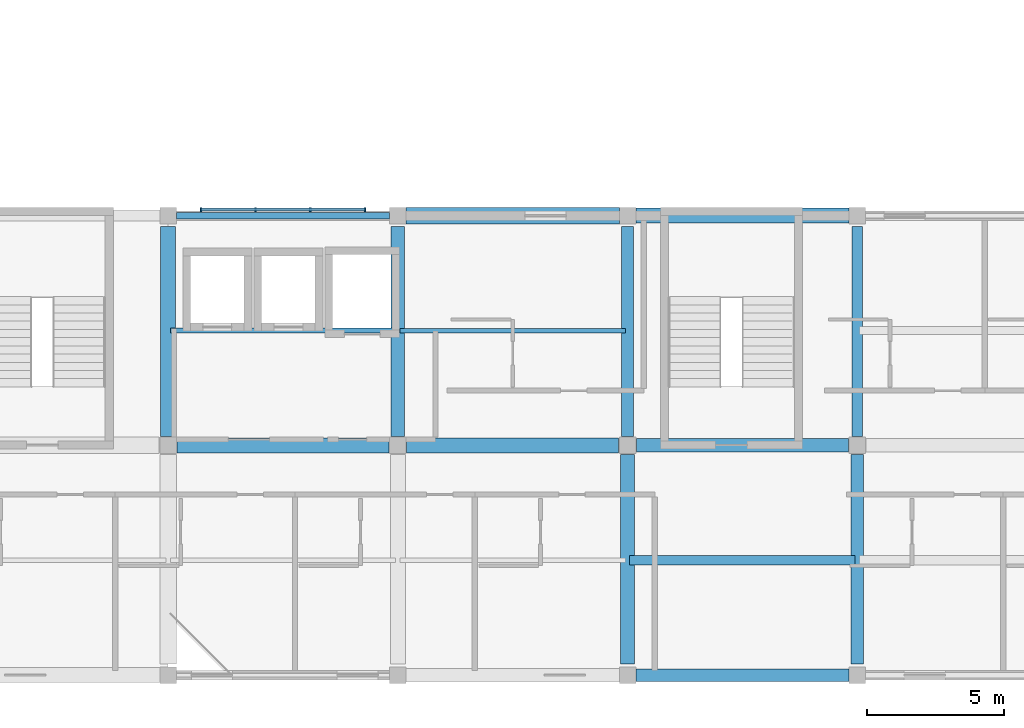
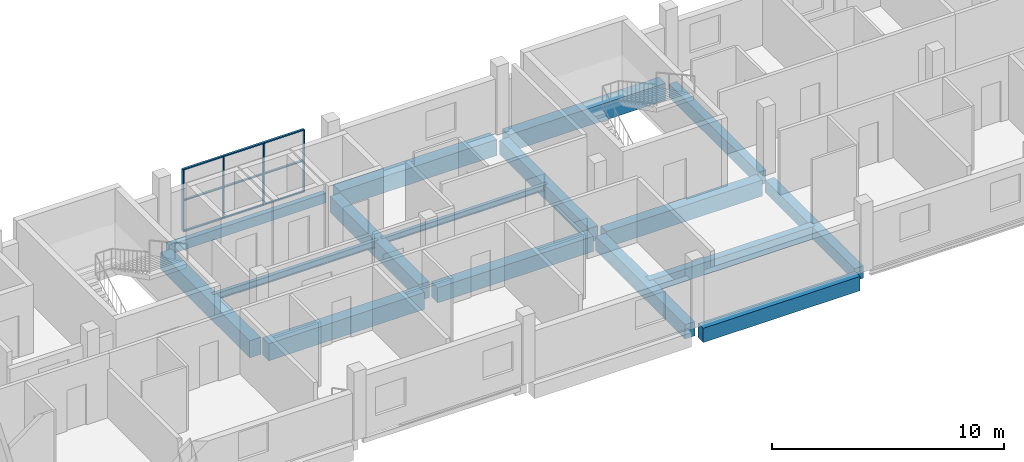
# One storey, part 4 of 25: 16 beams, 7 members, 1 element without a shape of its own.
"""IFC4 building model written with IfcOpenShell, lengths in metres."""

from ifc_helpers import new_model, si_unit, derived_unit, direction, frame, origin, origin_2d, place, context, subcontext, project, spatial, rectangle, i_section, extrude, material, material_profile, profile_set, type_object, element, aggregate, save


model = new_model("IFC4")

# Units and contexts
model_context = context("Model", 3, precision=1e-05, world=origin(), true_north=direction((0.0, 1.0)))
body_context = subcontext(model_context, "Body", "Model", "MODEL_VIEW")
ifc_project = project(units=[si_unit("LENGTHUNIT", "METRE"), si_unit("AREAUNIT", "SQUARE_METRE"), si_unit("VOLUMEUNIT", "CUBIC_METRE"), si_unit("PLANEANGLEUNIT", "RADIAN"), si_unit("MASSUNIT", "GRAM", prefix="KILO"), derived_unit("THERMALTRANSMITTANCEUNIT", [(si_unit("POWERUNIT", "WATT"), 1), (si_unit("LENGTHUNIT", "METRE"), -2), (si_unit("THERMODYNAMICTEMPERATUREUNIT", "KELVIN"), -1)])], contexts=[model_context])

# Site, building, storey
site_placement = place(None, origin())
site = spatial("IfcSite", under=ifc_project, at=site_placement, CompositionType="ELEMENT")
building_placement = place(site_placement, origin())
building = spatial("IfcBuilding", under=site, at=building_placement, Name="Barrovel Congress Hotel", CompositionType="ELEMENT")
storey_placement = place(building_placement, frame((0.0, 0.0, 25.5)))
storey = spatial("IfcBuildingStorey", under=building, at=storey_placement, Name="L06", CompositionType="ELEMENT", Elevation=25.5)

# Beams
ifc_material_1 = material(Name="Concrete C40", Category="concrete")
ifc_material_profile_1 = material_profile(ifc_material_1, rectangle(XDim=0.25, YDim=0.5, at=origin_2d()), Name="RC250x500")
ifc_profile_set_1 = profile_set([ifc_material_profile_1], Name="Concrete C40")
beam_type_1 = type_object("IfcBeamType", Name="BM-RC250x500", PredefinedType="SPANDREL", material=ifc_profile_set_1)
beam_1_placement = place(storey_placement, frame((84.300048828125, 21.0, -0.469970703125), z_axis=(1.0, 0.0, 0.0), x_axis=(0.0, 1.0, 0.0)))
element("IfcBeam", 1, at=beam_1_placement, inside=storey, type_object=beam_type_1, Name="BMX:L06:21.0:84.0-92.4", PredefinedType="SPANDREL", context=body_context, shape_type="SweptSolid", body=[
    extrude(rectangle(XDim=0.25, YDim=0.5, at=origin_2d()), origin(), (0.0, 0.0, 1.0), 7.800048828125),
])
ifc_material_profile_2 = material_profile(ifc_material_1, rectangle(XDim=0.35009765625, YDim=0.64990234375, at=origin_2d()), Name="RC350x650")
ifc_profile_set_2 = profile_set([ifc_material_profile_2], Name="Concrete C40")
beam_type_2 = type_object("IfcBeamType", Name="BM-RC350x650", PredefinedType="JOIST", material=ifc_profile_set_2)
beam_2_placement = place(storey_placement, frame((100.8798828125, 8.39990234375, -0.544921875), z_axis=(1.0, 0.0, 0.0), x_axis=(0.0, 1.0, 0.0)))
element("IfcBeam", 2, at=beam_2_placement, inside=storey, type_object=beam_type_2, Name="JST:L06:100.8:8.4", PredefinedType="JOIST", context=body_context, shape_type="SweptSolid", body=[
    extrude(rectangle(XDim=0.35009765625, YDim=0.64990234375, at=origin_2d()), origin(), (0.0, 0.0, 1.0), 8.240234375),
])
ifc_material_profile_3 = material_profile(ifc_material_1, rectangle(XDim=0.39990234375, YDim=0.699951171875, at=origin_2d()), Name="RC400x700")
ifc_profile_set_3 = profile_set([ifc_material_profile_3], Name="Concrete C40")
beam_type_3 = type_object("IfcBeamType", Name="BM-RC400x700", PredefinedType="BEAM", material=ifc_profile_set_3)
beam_3_placement = place(storey_placement, frame((109.199951171875, 12.925048828125, -0.570068359375), z_axis=(0.0, 1.0, 0.0), x_axis=(-1.0, 0.0, 0.0)))
element("IfcBeam", 3, at=beam_3_placement, inside=storey, type_object=beam_type_3, Name="BMY:L06:109.2:12.6-21.0", PredefinedType="BEAM", context=body_context, shape_type="SweptSolid", body=[
    extrude(rectangle(XDim=0.39990234375, YDim=0.699951171875, at=origin_2d()), origin(), (0.0, 0.0, 1.0), 7.675048828125),
])
ifc_material_profile_4 = material_profile(ifc_material_1, rectangle(XDim=0.449951171875, YDim=0.64990234375, at=origin_2d()), Name="RC450x650")
ifc_profile_set_4 = profile_set([ifc_material_profile_4], Name="Concrete C40")
beam_type_4 = type_object("IfcBeamType", Name="BM-RC450x650", PredefinedType="BEAM", material=ifc_profile_set_4)
beam_4_placement = place(storey_placement, frame((109.199951171875, 4.60009765625, -0.544921875), z_axis=(0.0, 1.0, 0.0), x_axis=(-1.0, 0.0, 0.0)))
element("IfcBeam", 4, at=beam_4_placement, inside=storey, type_object=beam_type_4, Name="BMY:L06:109.2:4.2-12.6", PredefinedType="BEAM", context=body_context, shape_type="SweptSolid", body=[
    extrude(rectangle(XDim=0.449951171875, YDim=0.64990234375, at=origin_2d()), origin(), (0.0, 0.0, 1.0), 7.6748046875),
])
ifc_material_profile_5 = material_profile(ifc_material_1, rectangle(XDim=0.449951171875, YDim=0.75, at=origin_2d()), Name="RC450x750")
ifc_profile_set_5 = profile_set([ifc_material_profile_5], Name="Concrete C40")
beam_type_5 = type_object("IfcBeamType", Name="BM-RC450x750", PredefinedType="BEAM", material=ifc_profile_set_5)
beam_5_placement = place(storey_placement, frame((101.10009765625, 4.199951171875, -0.594970703125), z_axis=(1.0, 0.0, 0.0), x_axis=(0.0, 1.0, 0.0)))
element("IfcBeam", 5, at=beam_5_placement, inside=storey, type_object=beam_type_5, Name="BMX:L06:4.2:100.8-109.2", PredefinedType="BEAM", context=body_context, shape_type="SweptSolid", body=[
    extrude(rectangle(XDim=0.449951171875, YDim=0.75, at=origin_2d()), origin(), (0.0, 0.0, 1.0), 7.7998046875),
])
beam_6_placement = place(storey_placement, frame((100.800048828125, 12.925048828125, -0.594970703125), z_axis=(0.0, 1.0, 0.0), x_axis=(-1.0, 0.0, 0.0)))
element("IfcBeam", 6, at=beam_6_placement, inside=storey, type_object=beam_type_5, Name="BMY:L06:100.8:12.6-21.0", PredefinedType="BEAM", context=body_context, shape_type="SweptSolid", body=[
    extrude(rectangle(XDim=0.449951171875, YDim=0.75, at=origin_2d()), origin(), (0.0, 0.0, 1.0), 7.675048828125),
])
ifc_material_profile_6 = material_profile(ifc_material_1, rectangle(XDim=0.5, YDim=0.75, at=origin_2d()), Name="RC500x750")
ifc_profile_set_6 = profile_set([ifc_material_profile_6], Name="Concrete C40")
beam_type_6 = type_object("IfcBeamType", Name="BM-RC500x750", PredefinedType="BEAM", material=ifc_profile_set_6)
beam_7_placement = place(storey_placement, frame((100.800048828125, 4.60009765625, -0.594970703125), z_axis=(0.0, 1.0, 0.0), x_axis=(-1.0, 0.0, 0.0)))
element("IfcBeam", 7, at=beam_7_placement, inside=storey, type_object=beam_type_6, Name="BMY:L06:100.8:4.2-12.6", PredefinedType="BEAM", context=body_context, shape_type="SweptSolid", body=[
    extrude(rectangle(XDim=0.5, YDim=0.75, at=origin_2d()), origin(), (0.0, 0.0, 1.0), 7.6748046875),
])
ifc_material_profile_7 = material_profile(ifc_material_1, rectangle(XDim=0.5, YDim=0.85009765625, at=origin_2d()), Name="RC500x850")
ifc_profile_set_7 = profile_set([ifc_material_profile_7], Name="Concrete C40")
beam_type_7 = type_object("IfcBeamType", Name="BM-RC500x850", PredefinedType="BEAM", material=ifc_profile_set_7)
beam_8_placement = place(storey_placement, frame((101.125, 12.60009765625, -0.64501953125), z_axis=(1.0, 0.0, 0.0), x_axis=(0.0, 1.0, 0.0)))
element("IfcBeam", 8, at=beam_8_placement, inside=storey, type_object=beam_type_7, Name="BMX:L06:12.6:100.8-109.2", PredefinedType="BEAM", context=body_context, shape_type="SweptSolid", body=[
    extrude(rectangle(XDim=0.5, YDim=0.85009765625, at=origin_2d()), origin(), (0.0, 0.0, 1.0), 7.75),
])
beam_9_placement = place(storey_placement, frame((92.39990234375, 12.925048828125, -0.64501953125), z_axis=(0.0, 1.0, 0.0), x_axis=(-1.0, 0.0, 0.0)))
element("IfcBeam", 9, at=beam_9_placement, inside=storey, type_object=beam_type_7, Name="BMY:L06:92.4:12.6-21.0", PredefinedType="BEAM", context=body_context, shape_type="SweptSolid", body=[
    extrude(rectangle(XDim=0.5, YDim=0.85009765625, at=origin_2d()), origin(), (0.0, 0.0, 1.0), 7.675048828125),
])
ifc_material_profile_8 = material_profile(ifc_material_1, rectangle(XDim=0.550048828125, YDim=0.800048828125, at=origin_2d()), Name="RC550x800")
ifc_profile_set_8 = profile_set([ifc_material_profile_8], Name="Concrete C40")
beam_type_8 = type_object("IfcBeamType", Name="BM-RC550x800", PredefinedType="BEAM", material=ifc_profile_set_8)
beam_10_placement = place(storey_placement, frame((92.72509765625, 12.60009765625, -0.6201171875), z_axis=(1.0, 0.0, 0.0), x_axis=(0.0, 1.0, 0.0)))
element("IfcBeam", 10, at=beam_10_placement, inside=storey, type_object=beam_type_8, Name="BMX:L06:12.6:92.4-100.8", PredefinedType="BEAM", context=body_context, shape_type="SweptSolid", body=[
    extrude(rectangle(XDim=0.550048828125, YDim=0.800048828125, at=origin_2d()), origin(), (0.0, 0.0, 1.0), 7.75),
])
ifc_material_profile_9 = material_profile(ifc_material_1, rectangle(XDim=0.550048828125, YDim=0.89990234375, at=origin_2d()), Name="RC550x900")
ifc_profile_set_9 = profile_set([ifc_material_profile_9], Name="Concrete C40")
beam_type_9 = type_object("IfcBeamType", Name="BM-RC550x900", PredefinedType="BEAM", material=ifc_profile_set_9)
beam_11_placement = place(storey_placement, frame((84.324951171875, 12.60009765625, -0.669921875), z_axis=(1.0, 0.0, 0.0), x_axis=(0.0, 1.0, 0.0)))
element("IfcBeam", 11, at=beam_11_placement, inside=storey, type_object=beam_type_9, Name="BMX:L06:12.6:84.0-92.4", PredefinedType="BEAM", context=body_context, shape_type="SweptSolid", body=[
    extrude(rectangle(XDim=0.550048828125, YDim=0.89990234375, at=origin_2d()), origin(), (0.0, 0.0, 1.0), 7.75),
])
beam_12_placement = place(storey_placement, frame((101.10009765625, 21.0, -0.669921875), z_axis=(1.0, 0.0, 0.0), x_axis=(0.0, 1.0, 0.0)))
element("IfcBeam", 12, at=beam_12_placement, inside=storey, type_object=beam_type_9, Name="BMX:L06:21.0:100.8-109.2", PredefinedType="BEAM", context=body_context, shape_type="SweptSolid", body=[
    extrude(rectangle(XDim=0.550048828125, YDim=0.89990234375, at=origin_2d()), origin(), (0.0, 0.0, 1.0), 7.7998046875),
])
beam_13_placement = place(storey_placement, frame((84.0, 12.925048828125, -0.669921875), z_axis=(0.0, 1.0, 0.0), x_axis=(-1.0, 0.0, 0.0)))
element("IfcBeam", 13, at=beam_13_placement, inside=storey, type_object=beam_type_9, Name="BMY:L06:84.0:12.6-21.0", PredefinedType="BEAM", context=body_context, shape_type="SweptSolid", body=[
    extrude(rectangle(XDim=0.550048828125, YDim=0.89990234375, at=origin_2d()), origin(), (0.0, 0.0, 1.0), 7.675048828125),
])
ifc_material_profile_10 = material_profile(ifc_material_1, rectangle(XDim=0.60009765625, YDim=0.85009765625, at=origin_2d()), Name="RC600x850")
ifc_profile_set_10 = profile_set([ifc_material_profile_10], Name="Concrete C40")
beam_type_10 = type_object("IfcBeamType", Name="BM-RC600x850", PredefinedType="BEAM", material=ifc_profile_set_10)
beam_14_placement = place(storey_placement, frame((92.699951171875, 21.0, -0.64501953125), z_axis=(1.0, 0.0, 0.0), x_axis=(0.0, 1.0, 0.0)))
element("IfcBeam", 14, at=beam_14_placement, inside=storey, type_object=beam_type_10, Name="BMX:L06:21.0:92.4-100.8", PredefinedType="BEAM", context=body_context, shape_type="SweptSolid", body=[
    extrude(rectangle(XDim=0.60009765625, YDim=0.85009765625, at=origin_2d()), origin(), (0.0, 0.0, 1.0), 7.800048828125),
])

# Curtain wall, members
ifc_material_2 = material(Name="Anodised Aluminium Alloy 6063-T6", Category="aluminium")
curtain_wall_type = type_object("IfcCurtainWallType", Name="CW-UN-6000x3200", PredefinedType="USERDEFINED", material=ifc_material_2)
curtain_wall_placement = place(storey_placement, origin())
curtain_wall = element("IfcCurtainWall", 15, at=curtain_wall_placement, inside=storey, type_object=curtain_wall_type, Name="CW:L06:UN-4", ObjectType="UNITISED CURTAIN WALL", PredefinedType="USERDEFINED")
ifc_material_profile_11 = material_profile(ifc_material_2, rectangle(XDim=0.06005859375, YDim=0.139892578125, at=origin_2d()), Name="AL-M60x140")
ifc_profile_set_11 = profile_set([ifc_material_profile_11], Name="Anodised Aluminium Alloy 6063-T6")
member_type_1 = type_object("IfcMemberType", Name="CWM-AL-M60x140", PredefinedType="MULLION", material=ifc_profile_set_11)
member_1_placement = place(storey_placement, frame((85.199951171875, 21.219970703125, 0.0), z_axis=(0.0, 0.0, 1.0), x_axis=(1.0, 0.0, 0.0)))
member_1 = element("IfcMember", 16, at=member_1_placement, type_object=member_type_1, Name="CW:L06:UN-4:M0", PredefinedType="MULLION", context=body_context, shape_type="SweptSolid", body=[
    extrude(rectangle(XDim=0.06005859375, YDim=0.139892578125, at=origin_2d()), origin(), (0.0, 0.0, 1.0), 3.25),
])
member_2_placement = place(storey_placement, frame((87.199951171875, 21.219970703125, 0.0), z_axis=(0.0, 0.0, 1.0), x_axis=(1.0, 0.0, 0.0)))
member_2 = element("IfcMember", 17, at=member_2_placement, type_object=member_type_1, Name="CW:L06:UN-4:M1", PredefinedType="MULLION", context=body_context, shape_type="SweptSolid", body=[
    extrude(rectangle(XDim=0.06005859375, YDim=0.139892578125, at=origin_2d()), origin(), (0.0, 0.0, 1.0), 3.25),
])
member_3_placement = place(storey_placement, frame((89.199951171875, 21.219970703125, 0.0), z_axis=(0.0, 0.0, 1.0), x_axis=(1.0, 0.0, 0.0)))
member_3 = element("IfcMember", 18, at=member_3_placement, type_object=member_type_1, Name="CW:L06:UN-4:M2", PredefinedType="MULLION", context=body_context, shape_type="SweptSolid", body=[
    extrude(rectangle(XDim=0.06005859375, YDim=0.139892578125, at=origin_2d()), origin(), (0.0, 0.0, 1.0), 3.25),
])
member_4_placement = place(storey_placement, frame((91.199951171875, 21.219970703125, 0.0), z_axis=(0.0, 0.0, 1.0), x_axis=(1.0, 0.0, 0.0)))
member_4 = element("IfcMember", 19, at=member_4_placement, type_object=member_type_1, Name="CW:L06:UN-4:M3", PredefinedType="MULLION", context=body_context, shape_type="SweptSolid", body=[
    extrude(rectangle(XDim=0.06005859375, YDim=0.139892578125, at=origin_2d()), origin(), (0.0, 0.0, 1.0), 3.25),
])
ifc_material_profile_12 = material_profile(ifc_material_2, rectangle(XDim=0.10498046875, YDim=0.06005859375, at=origin_2d()), Name="AL-T60x105")
ifc_profile_set_12 = profile_set([ifc_material_profile_12], Name="Anodised Aluminium Alloy 6063-T6")
member_type_2 = type_object("IfcMemberType", Name="CWT-AL-T60x105", PredefinedType="USERDEFINED", material=ifc_profile_set_12)
member_5_placement = place(storey_placement, frame((85.199951171875, 21.219970703125, 0.0), z_axis=(1.0, 0.0, 0.0), x_axis=(0.0, 1.0, 0.0)))
member_5 = element("IfcMember", 20, at=member_5_placement, type_object=member_type_2, Name="CW:L06:UN-4:T0", ObjectType="TRANSOM", PredefinedType="USERDEFINED", context=body_context, shape_type="SweptSolid", body=[
    extrude(rectangle(XDim=0.10498046875, YDim=0.06005859375, at=origin_2d()), origin(), (0.0, 0.0, 1.0), 6.0),
])
member_6_placement = place(storey_placement, frame((85.199951171875, 21.219970703125, 1.625), z_axis=(1.0, 0.0, 0.0), x_axis=(0.0, 1.0, 0.0)))
member_6 = element("IfcMember", 21, at=member_6_placement, type_object=member_type_2, Name="CW:L06:UN-4:T1", ObjectType="TRANSOM", PredefinedType="USERDEFINED", context=body_context, shape_type="SweptSolid", body=[
    extrude(rectangle(XDim=0.10498046875, YDim=0.06005859375, at=origin_2d()), origin(), (0.0, 0.0, 1.0), 6.0),
])
member_7_placement = place(storey_placement, frame((85.199951171875, 21.219970703125, 3.25), z_axis=(1.0, 0.0, 0.0), x_axis=(0.0, 1.0, 0.0)))
member_7 = element("IfcMember", 22, at=member_7_placement, type_object=member_type_2, Name="CW:L06:UN-4:T2", ObjectType="TRANSOM", PredefinedType="USERDEFINED", context=body_context, shape_type="SweptSolid", body=[
    extrude(rectangle(XDim=0.10498046875, YDim=0.06005859375, at=origin_2d()), origin(), (0.0, 0.0, 1.0), 6.0),
])
aggregate(curtain_wall, [member_1, member_2, member_3, member_4, member_5, member_6, member_7])

# Beams
ifc_material_3 = material(Name="Steel ASTM A992 Grade 50", Category="steel")
ifc_material_profile_13 = material_profile(ifc_material_3, i_section(OverallWidth=0.1650390625, OverallDepth=0.31005859375, WebThickness=0.005859375, FlangeThickness=0.009765625, FilletRadius=0.010986328125, at=origin_2d()), Name="W310x39")
ifc_profile_set_13 = profile_set([ifc_material_profile_13], Name="Steel ASTM A992 Grade 50")
beam_type_11 = type_object("IfcBeamType", Name="SBM-W310x39", PredefinedType="JOIST", material=ifc_profile_set_13)
beam_15_placement = place(storey_placement, frame((92.47998046875, 16.800048828125, -0.375), z_axis=(1.0, 0.0, 0.0), x_axis=(0.0, 1.0, 0.0)))
element("IfcBeam", 23, at=beam_15_placement, inside=storey, type_object=beam_type_11, Name="JST:L06:92.4:16.8", PredefinedType="JOIST", context=body_context, shape_type="SweptSolid", body=[
    extrude(i_section(OverallWidth=0.1650390625, OverallDepth=0.31005859375, WebThickness=0.005859375, FlangeThickness=0.009765625, FilletRadius=0.010986328125, at=origin_2d()), origin(), (0.0, 0.0, 1.0), 8.239990234375),
])
ifc_material_profile_14 = material_profile(ifc_material_3, i_section(OverallWidth=0.1708984375, OverallDepth=0.35205078125, WebThickness=0.0068359375, FlangeThickness=0.009765625, FilletRadius=0.011962890625, at=origin_2d()), Name="W360x44")
ifc_profile_set_14 = profile_set([ifc_material_profile_14], Name="Steel ASTM A992 Grade 50")
beam_type_12 = type_object("IfcBeamType", Name="SBM-W360x44", PredefinedType="JOIST", material=ifc_profile_set_14)
beam_16_placement = place(storey_placement, frame((84.080078125, 16.800048828125, -0.39599609375), z_axis=(1.0, 0.0, 0.0), x_axis=(0.0, 1.0, 0.0)))
element("IfcBeam", 24, at=beam_16_placement, inside=storey, type_object=beam_type_12, Name="JST:L06:84.0:16.8", PredefinedType="JOIST", context=body_context, shape_type="SweptSolid", body=[
    extrude(i_section(OverallWidth=0.1708984375, OverallDepth=0.35205078125, WebThickness=0.0068359375, FlangeThickness=0.009765625, FilletRadius=0.011962890625, at=origin_2d()), origin(), (0.0, 0.0, 1.0), 8.239990234375),
])

save(model, "model.ifc")
